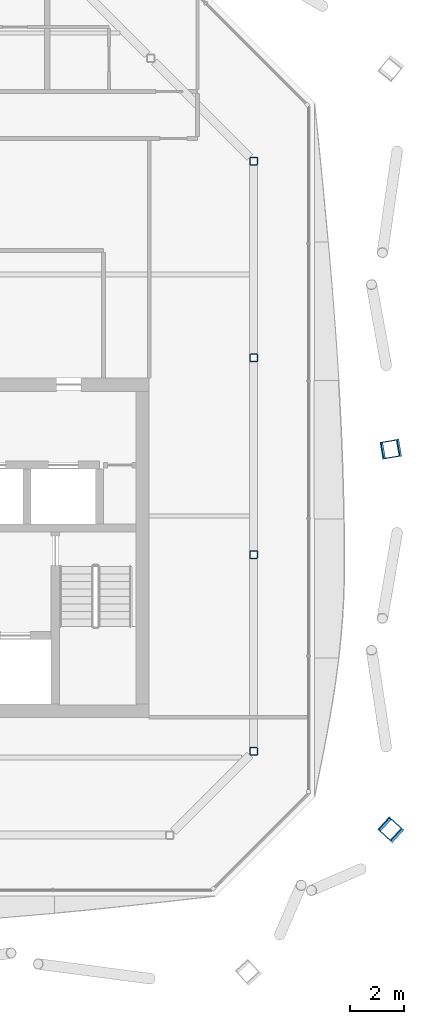
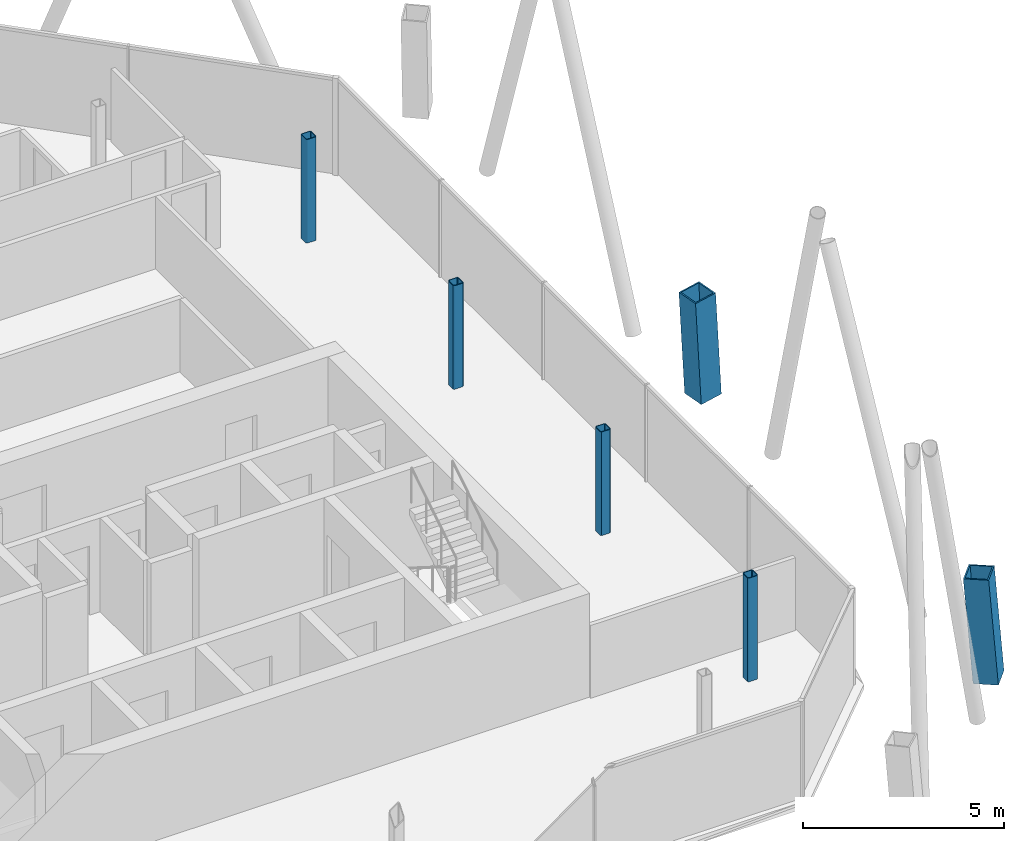
# One storey, part 2 of 17: 6 columns.
"""IFC4 building model written with IfcOpenShell, lengths in metres."""

import ifcopenshell
import ifcopenshell.guid

model = None  # the IFC model being written
_history = None  # IfcOwnerHistory: only IFC2X3 demands one
_inside = {}  # id of a spatial element -> (the spatial element, [elements in it])
_under = {}  # id of a project, library or spatial element -> (it, [spatial elements below it])
_declared = {}  # id of a project -> (the project, [libraries it declares])
_typed = {}  # id of a type object -> (the type object, [elements of that type])
_made_of = {}  # id of a material, layer set ... -> (it, [elements and type objects made of it])


def new_model(schema):
    """Start an empty IFC model of exactly this schema.

    Asked for "IFC4X3", IfcOpenShell would pick the latest addendum, in which some entities
    have other attributes; the version numbers below select the first issue.
    IFC2X3 requires an IfcOwnerHistory on every rooted entity: one is made here for all.
    """
    global model, _history
    if schema == "IFC4X3":
        model = ifcopenshell.file(schema_version=(4, 3, 0, 0))
    else:
        model = ifcopenshell.file(schema=schema)
    _inside.clear()
    _under.clear()
    _declared.clear()
    _typed.clear()
    _made_of.clear()
    _history = None
    if model.schema == "IFC2X3":
        org = make("IfcOrganization", Name="unknown")
        user = make(
            "IfcPersonAndOrganization",
            ThePerson=make("IfcPerson", FamilyName="unknown"),
            TheOrganization=org,
        )
        app = make(
            "IfcApplication",
            ApplicationDeveloper=org,
            Version="unknown",
            ApplicationFullName="unknown",
            ApplicationIdentifier="unknown",
        )
        _history = make(
            "IfcOwnerHistory",
            OwningUser=user,
            OwningApplication=app,
            ChangeAction="ADDED",
            CreationDate=0,
        )
    return model


def make(cls, **values):
    """One entity of the class cls with the attributes given. An attribute that is None is left unset."""
    return model.create_entity(
        cls, **{name: value for name, value in values.items() if value is not None}
    )


def rooted(cls, **values):
    """An entity with a GlobalId (a new one), such as an element, a storey or a relation."""
    return make(cls, GlobalId=ifcopenshell.guid.new(), OwnerHistory=_history, **values)


def si_unit(unit_type, name, prefix=None):
    """IfcSIUnit, for example si_unit("LENGTHUNIT", "METRE", prefix="MILLI")."""
    return make("IfcSIUnit", UnitType=unit_type, Prefix=prefix, Name=name)


def assignment(units):
    """IfcUnitAssignment: the units of a project."""
    return None if units is None else make("IfcUnitAssignment", Units=units)


def point(xyz):
    """IfcCartesianPoint."""
    return None if xyz is None else make("IfcCartesianPoint", Coordinates=xyz)


def direction(xyz):
    """IfcDirection."""
    return None if xyz is None else make("IfcDirection", DirectionRatios=xyz)


def frame(location, z_axis=None, x_axis=None):
    """IfcAxis2Placement3D, a coordinate frame: its origin and axes. An axis left out is left unset."""
    return make(
        "IfcAxis2Placement3D",
        Location=point(location),
        Axis=direction(z_axis),
        RefDirection=direction(x_axis),
    )


def frame_2d(location, x_axis=None):
    """IfcAxis2Placement2D, a coordinate frame in the plane: its origin and x axis."""
    return make(
        "IfcAxis2Placement2D", Location=point(location), RefDirection=direction(x_axis)
    )


def origin():
    """The frame at (0, 0, 0) with its axes left unset."""
    return frame((0.0, 0.0, 0.0))


def origin_2d():
    """The frame at (0, 0) in the plane with its x axis left unset."""
    return frame_2d((0.0, 0.0))


def place(relative_to, where):
    """IfcLocalPlacement: puts the frame where relative to a parent placement (None: the world)."""
    return make(
        "IfcLocalPlacement", PlacementRelTo=relative_to, RelativePlacement=where
    )


def context(
    kind, dimensions, precision=None, world=None, true_north=None, identifier=None
):
    """IfcGeometricRepresentationContext, for example the 3D "Model" context."""
    return make(
        "IfcGeometricRepresentationContext",
        ContextIdentifier=identifier,
        ContextType=kind,
        CoordinateSpaceDimension=dimensions,
        Precision=precision,
        WorldCoordinateSystem=world,
        TrueNorth=true_north,
    )


def subcontext(parent, identifier, kind, view, scale=None):
    """IfcGeometricRepresentationSubContext, for example "Body" below "Model"."""
    return make(
        "IfcGeometricRepresentationSubContext",
        ContextIdentifier=identifier,
        ContextType=kind,
        ParentContext=parent,
        TargetScale=scale,
        TargetView=view,
    )


def project(units=None, contexts=None):
    """IfcProject with its units and contexts."""
    return rooted(
        "IfcProject",
        Name="project",
        RepresentationContexts=contexts,
        UnitsInContext=assignment(units),
    )


def spatial(cls, under=None, at=None, **own):
    """A site, building, storey or space (cls), placed at a placement, below another one or the project."""
    s = rooted(cls, ObjectPlacement=at, **own)
    if under is not None:
        _under.setdefault(under.id(), (under, []))[1].append(s)
    return s


def profile(cls, at=None, kind="AREA", **sizes):
    """A parametric profile (cls). Its sizes go by their IFC names, for example OverallWidth=200.0."""
    return make(cls, ProfileType=kind, Position=at, **sizes)


def hollow_rectangle(**sizes):
    """IfcRectangleHollowProfileDef."""
    return profile("IfcRectangleHollowProfileDef", **sizes)


def extrude(swept, where, along, depth):
    """IfcExtrudedAreaSolid: the profile swept, set in the frame where, extruded along a direction by depth."""
    return make(
        "IfcExtrudedAreaSolid",
        SweptArea=swept,
        Position=where,
        ExtrudedDirection=direction(along),
        Depth=depth,
    )


def shape(context_of_items, identifier, shape_type, items):
    """IfcShapeRepresentation: the items that make up one representation, for example the "Body"."""
    return make(
        "IfcShapeRepresentation",
        ContextOfItems=context_of_items,
        RepresentationIdentifier=identifier,
        RepresentationType=shape_type,
        Items=items,
    )


def material(Name=None, Category=None):
    """IfcMaterial."""
    return make("IfcMaterial", Name=Name, Category=Category)


def material_profile(
    of_material, cross_section, Name=None, Category=None, Priority=None
):
    """IfcMaterialProfile: a cross section and its material."""
    return make(
        "IfcMaterialProfile",
        Name=Name,
        Material=of_material,
        Profile=cross_section,
        Priority=Priority,
        Category=Category,
    )


def profile_set(profiles, Name=None, composite=None):
    """IfcMaterialProfileSet."""
    return make(
        "IfcMaterialProfileSet",
        Name=Name,
        MaterialProfiles=profiles,
        CompositeProfile=composite,
    )


def made_of(thing, what):
    """Note that an element or type object is made of a material, layer set ...; save() writes the relation."""
    if what is not None:
        _made_of.setdefault(what.id(), (what, []))[1].append(thing)
    return thing


def type_object(cls, material=None, **own):
    """A type object (cls), such as IfcWallType, which elements share."""
    return made_of(rooted(cls, **own), material)


def element(
    cls,
    number,
    at=None,
    inside=None,
    cuts=None,
    type_object=None,
    material=None,
    context=None,
    identifier="Body",
    shape_type=None,
    held_by="IfcProductDefinitionShape",
    body=None,
    shapes=None,
    **own,
):
    """One element of the class cls, such as IfcWall. Its Tag is "e" and its number.

    at: its placement. inside: the storey or other place that contains it. cuts: it is an
    opening in that element (IfcRelVoidsElement). A single representation is given by context,
    identifier, shape_type and body (its items); several are given by shapes. held_by: the class
    of the entity that holds the representations. save() writes the other relations.
    """
    e = rooted(cls, Tag="e%d" % number, ObjectPlacement=at, **own)
    if body is not None:
        shapes = [shape(context, identifier, shape_type, body)]
    if shapes is not None:
        e.Representation = make(held_by, Representations=shapes)
    if inside is not None:
        _inside.setdefault(inside.id(), (inside, []))[1].append(e)
    if cuts is not None:
        rooted(
            "IfcRelVoidsElement", RelatingBuildingElement=cuts, RelatedOpeningElement=e
        )
    if type_object is not None:
        _typed.setdefault(type_object.id(), (type_object, []))[1].append(e)
    return made_of(e, material)


def aggregate(whole, parts):
    """IfcRelAggregates: a whole, such as a stair, and the parts it consists of."""
    return rooted("IfcRelAggregates", RelatingObject=whole, RelatedObjects=parts)


def save(model, path):
    """Write the relations noted so far, then the file.

    IfcRelAggregates (storeys below a building ...), IfcRelContainedInSpatialStructure (elements
    in a storey), IfcRelDefinesByType, IfcRelAssociatesMaterial and IfcRelDeclares: one each for
    every whole, place, type object, material and project.
    """
    for whole, parts in _under.values():
        aggregate(whole, parts)
    for where, things in _inside.values():
        rooted(
            "IfcRelContainedInSpatialStructure",
            RelatedElements=things,
            RelatingStructure=where,
        )
    for kind, things in _typed.values():
        rooted("IfcRelDefinesByType", RelatedObjects=things, RelatingType=kind)
    for what, things in _made_of.values():
        rooted("IfcRelAssociatesMaterial", RelatedObjects=things, RelatingMaterial=what)
    for by, libraries in _declared.values():
        rooted("IfcRelDeclares", RelatingContext=by, RelatedDefinitions=libraries)
    model.write(path)


model = new_model("IFC4")

# Units and contexts
model_context = context("Model", 3, precision=1e-05, world=origin(), true_north=direction((0.0, 1.0)))
body_context = subcontext(model_context, "Body", "Model", "MODEL_VIEW")
ifc_project = project(units=[si_unit("LENGTHUNIT", "METRE"), si_unit("AREAUNIT", "SQUARE_METRE"), si_unit("VOLUMEUNIT", "CUBIC_METRE"), si_unit("PLANEANGLEUNIT", "RADIAN"), si_unit("MASSUNIT", "GRAM", prefix="KILO")], contexts=[model_context])

# Site, building, storey
site_placement = place(None, origin())
site = spatial("IfcSite", under=ifc_project, at=site_placement, CompositionType="ELEMENT")
building_placement = place(site_placement, origin())
building = spatial("IfcBuilding", under=site, at=building_placement, Name="Tskaro Facet Tower", CompositionType="ELEMENT")
storey_placement = place(building_placement, frame((0.0, 0.0, 226.64990234375)))
storey = spatial("IfcBuildingStorey", under=building, at=storey_placement, Name="L58", CompositionType="ELEMENT", Elevation=226.64990234375)

# Columns
ifc_material_1 = material(Name="Steel S355J2", Category="steel")
ifc_material_profile_1 = material_profile(ifc_material_1, hollow_rectangle(XDim=0.64990234375, YDim=0.64990234375, WallThickness=0.0400390625, at=origin_2d()), Name="BOX 650x650x40")
ifc_profile_set_1 = profile_set([ifc_material_profile_1], Name="Steel S355J2")
column_type_1 = type_object("IfcColumnType", Name="BOX 650x650x40 mega column", PredefinedType="COLUMN", material=ifc_profile_set_1)
column_1_placement = place(storey_placement, frame((18.537109375, -16.219970703125, 0.0), z_axis=(-0.057946982858, 0.052847648367, 0.996919893091), x_axis=(-0.673848784787, -0.738869281565, 0.0)))
element("IfcColumn", 1, at=column_1_placement, inside=storey, type_object=column_type_1, Name="BOX 650x650x40 MC04/5", PredefinedType="COLUMN", context=body_context, shape_type="SweptSolid", body=[
    extrude(hollow_rectangle(XDim=0.64990234375, YDim=0.64990234375, WallThickness=0.0400390625, at=origin_2d()), origin(), (0.0, 0.0, 1.0), 3.159912109375),
])
column_2_placement = place(storey_placement, frame((18.537109375, -2.001953125, 0.0), z_axis=(-0.058025270901, -0.009825612539, 0.998266760578), x_axis=(0.166956611923, -0.985964243639, 0.0)))
element("IfcColumn", 2, at=column_2_placement, inside=storey, type_object=column_type_1, Name="BOX 650x650x40 MC05/5", PredefinedType="COLUMN", context=body_context, shape_type="SweptSolid", body=[
    extrude(hollow_rectangle(XDim=0.64990234375, YDim=0.64990234375, WallThickness=0.0400390625, at=origin_2d()), origin(), (0.0, 0.0, 1.0), 3.155517578125),
])
ifc_material_2 = material(Name="Steel S355J2H", Category="steel")
ifc_material_profile_2 = material_profile(ifc_material_2, hollow_rectangle(XDim=0.300048828125, YDim=0.300048828125, WallThickness=0.02001953125, InnerFilletRadius=0.030029296875, OuterFilletRadius=0.050048828125, at=origin_2d()), Name="SHS 300x300x20")
ifc_profile_set_2 = profile_set([ifc_material_profile_2], Name="Steel S355J2H")
column_type_2 = type_object("IfcColumnType", Name="SHS 300x300x20 ring column", PredefinedType="COLUMN", material=ifc_profile_set_2)
for number, where, z_axis, x_axis, name in (
    (3, (13.39111328125, -13.26806640625, 0.0), (0.0, 0.0, 1.0), (1.0, 0.0, 0.0), "SHS 300x300x20 RE-1/5"),
    (4, (13.39111328125, -5.93701171875, 0.0), (0.0, 0.0, 1.0), (1.0, 0.0, 0.0), "SHS 300x300x20 RE-2/5"),
    (5, (13.39111328125, 1.39404296875, 0.0), (0.0, 0.0, 1.0), (1.0, 0.0, 0.0), "SHS 300x300x20 RE-3/5"),
    (6, (13.39111328125, 8.72509765625, 0.0), (0.0, 0.0, 1.0), (1.0, 0.0, 0.0), "SHS 300x300x20 RNE-1/5"),
):
    element("IfcColumn", number, at=place(storey_placement, frame(where, z_axis=z_axis, x_axis=x_axis)), inside=storey, type_object=column_type_2, Name=name, PredefinedType="COLUMN", context=body_context, shape_type="SweptSolid", body=[
        extrude(hollow_rectangle(XDim=0.300048828125, YDim=0.300048828125, WallThickness=0.02001953125, InnerFilletRadius=0.030029296875, OuterFilletRadius=0.050048828125, at=origin_2d()), origin(), (0.0, 0.0, 1.0), 3.150146484375),
    ])

save(model, "model.ifc")
